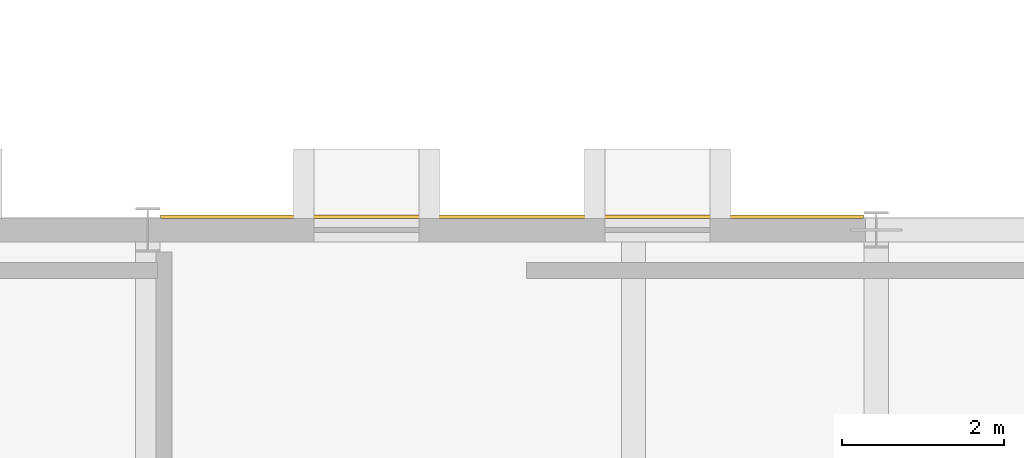
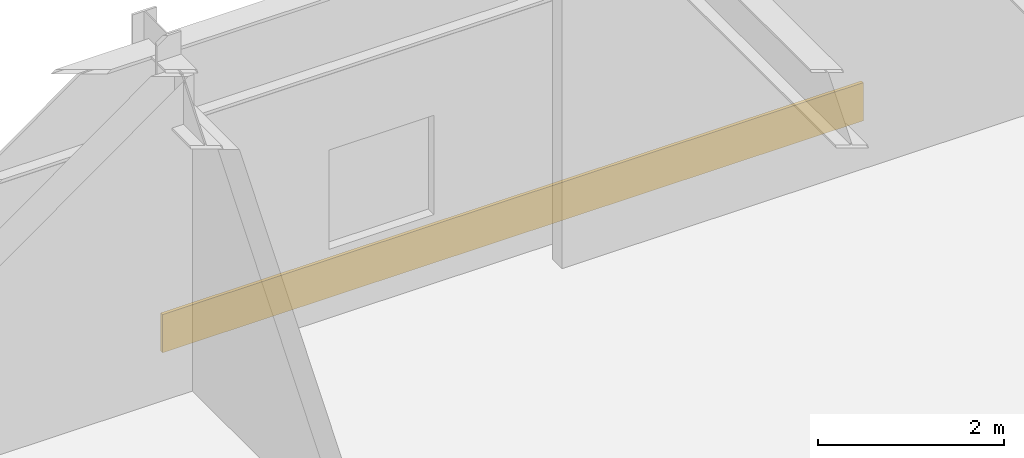
# One storey, part 142 of 142: 1 covering.
"""IFC4 building model written with IfcOpenShell, lengths in metres."""

from ifc_helpers import new_model, si_unit, direction, frame, origin, origin_2d, place, context, subcontext, project, spatial, rectangle, extrude, material, layer, layer_set, type_object, element, save


model = new_model("IFC4")

# Units and contexts
model_context = context("Model", 3, precision=1e-05, world=origin(), true_north=direction((0.0, 1.0)))
body_context = subcontext(model_context, "Body", "Model", "MODEL_VIEW")
ifc_project = project(units=[si_unit("LENGTHUNIT", "METRE"), si_unit("AREAUNIT", "SQUARE_METRE"), si_unit("VOLUMEUNIT", "CUBIC_METRE"), si_unit("PLANEANGLEUNIT", "RADIAN"), si_unit("MASSUNIT", "GRAM", prefix="KILO")], contexts=[model_context])

# Site, building, storey
site_placement = place(None, origin())
site = spatial("IfcSite", under=ifc_project, at=site_placement, CompositionType="ELEMENT")
building_placement = place(site_placement, origin())
building = spatial("IfcBuilding", under=site, at=building_placement, Name="Montelvaro Courts of Justice", CompositionType="ELEMENT")
storey_placement = place(building_placement, frame((0.0, 0.0, 14.39990234375)))
storey = spatial("IfcBuildingStorey", under=building, at=storey_placement, Name="L03", CompositionType="ELEMENT", Elevation=14.39990234375)

# Covering
ifc_material = material(Name="White mineral precast concrete C45/55", Category="concrete")
ifc_layer = layer(ifc_material, 0.0400390625)
ifc_layer_set = layer_set([ifc_layer], Name="White mineral precast concrete C45/55")
covering_type = type_object("IfcCoveringType", Name="BarCladding_GFRC", PredefinedType="CLADDING", material=ifc_layer_set)
covering_placement = place(storey_placement, frame((157.5, 96.162109375, 0.030029296875), z_axis=(0.0, 0.0, 1.0), x_axis=(-1.0, 0.0, 0.0)))
element("IfcCovering", 1, at=covering_placement, inside=storey, type_object=covering_type, Name="Horizontal White Bar Spandrel Cladding CL-01-016", PredefinedType="CLADDING", context=body_context, shape_type="SweptSolid", body=[
    extrude(rectangle(XDim=8.68408203125, YDim=0.0400390625, at=origin_2d()), origin(), (0.0, 0.0, 1.0), 0.5),
])

save(model, "model.ifc")
